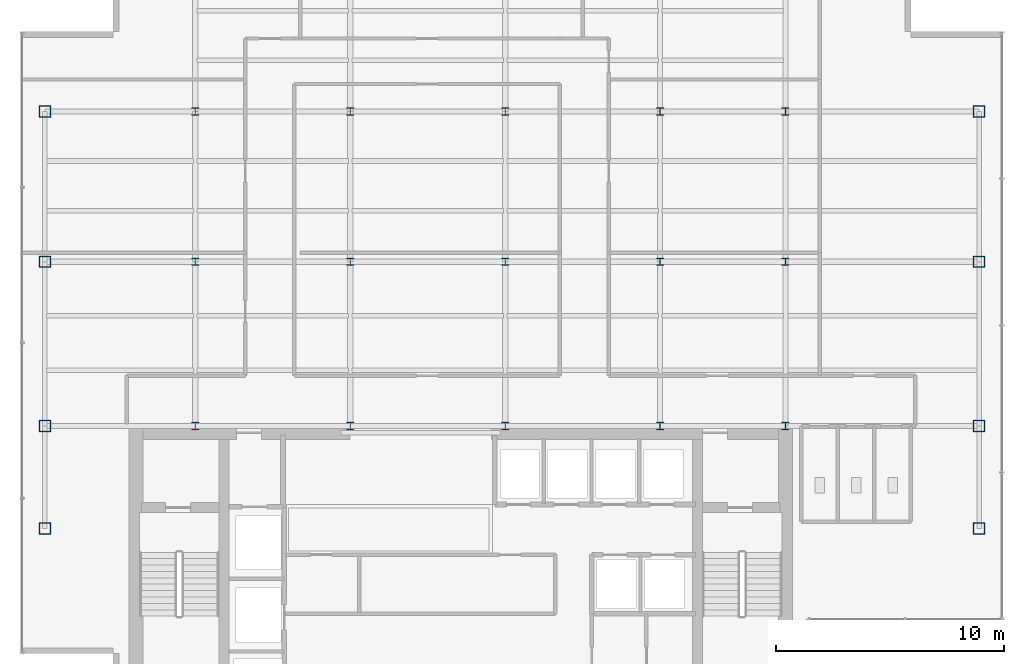
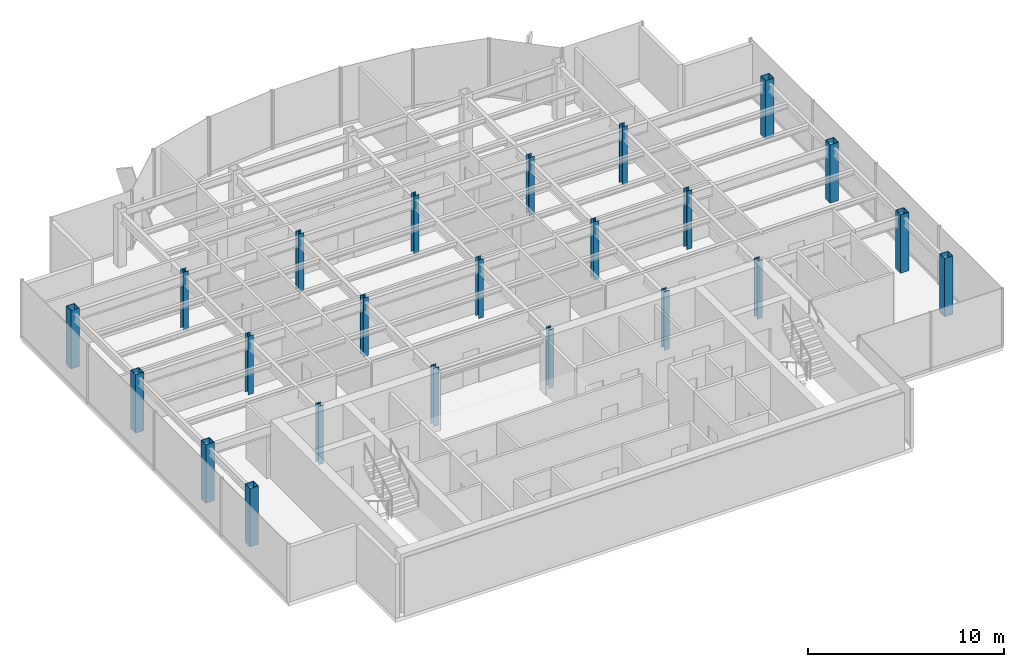
# One storey, part 1 of 22: 23 columns.
"""IFC4 building model written with IfcOpenShell, lengths in metres."""

from ifc_helpers import new_model, si_unit, derived_unit, direction, frame, origin, origin_2d, place, context, subcontext, project, spatial, hollow_rectangle, i_section, extrude, source, transform, mapped, material, material_profile, profile_set, type_object, element, save


model = new_model("IFC4")

# Units and contexts
model_context = context("Model", 3, precision=1e-05, world=origin(), true_north=direction((0.0, 1.0)))
body_context = subcontext(model_context, "Body", "Model", "MODEL_VIEW")
ifc_project = project(units=[si_unit("LENGTHUNIT", "METRE"), si_unit("AREAUNIT", "SQUARE_METRE"), si_unit("VOLUMEUNIT", "CUBIC_METRE"), si_unit("PLANEANGLEUNIT", "RADIAN"), si_unit("MASSUNIT", "GRAM", prefix="KILO"), derived_unit("THERMALTRANSMITTANCEUNIT", [(si_unit("POWERUNIT", "WATT"), 1), (si_unit("LENGTHUNIT", "METRE"), -2), (si_unit("THERMODYNAMICTEMPERATUREUNIT", "KELVIN"), -1)])], contexts=[model_context])

# Site, building, storey
site_placement = place(None, origin())
site = spatial("IfcSite", under=ifc_project, at=site_placement, CompositionType="ELEMENT")
building_placement = place(site_placement, origin())
building = spatial("IfcBuilding", under=site, at=building_placement, Name="Skarnbrae Concourse Arena and Tower", CompositionType="ELEMENT")
storey_placement = place(building_placement, frame((0.0, 0.0, 255.14990234375)))
storey = spatial("IfcBuildingStorey", under=building, at=storey_placement, Name="L66", CompositionType="ELEMENT", Elevation=255.14990234375)

# Columns
ifc_material = material(Name="Steel CSA G40.21 350W", Category="steel")
ifc_material_profile_1 = material_profile(ifc_material, hollow_rectangle(XDim=0.5, YDim=0.5, WallThickness=0.02197265625, at=origin_2d()), Name="HSS500X500X22.0")
ifc_profile_set_1 = profile_set([ifc_material_profile_1], Name="Steel CSA G40.21 350W")
column_type_1 = type_object("IfcColumnType", Name="COL-TUBE-HSS500", PredefinedType="COLUMN", material=ifc_profile_set_1)
shared_shape_1 = source(origin(), body_context, "Body", "SweptSolid", [
    extrude(hollow_rectangle(XDim=0.5, YDim=0.5, WallThickness=0.02197265625, at=origin_2d()), origin(), (0.0, 0.0, 1.0), 3.650146484375),
])
for number, where, z_axis, x_axis, name in (
    (1, (1.0, 9.5, 0.0), (0.0, 0.0, 1.0), (1.0, 0.0, 0.0), "L66 Tower column PC_01_01"),
    (2, (1.0, 14.0, 0.0), (0.0, 0.0, 1.0), (1.0, 0.0, 0.0), "L66 Tower column PC_01_02"),
    (3, (1.0, 21.199951171875, 0.0), (0.0, 0.0, 1.0), (1.0, 0.0, 0.0), "L66 Tower column PC_01_03"),
    (4, (1.0, 27.800048828125, 0.0), (0.0, 0.0, 1.0), (1.0, 0.0, 0.0), "L66 Tower column PC_01_04"),
    (5, (42.0, 9.5, 0.0), (0.0, 0.0, 1.0), (1.0, 0.0, 0.0), "L66 Tower column PC_07_01"),
    (6, (42.0, 14.0, 0.0), (0.0, 0.0, 1.0), (1.0, 0.0, 0.0), "L66 Tower column PC_07_02"),
    (7, (42.0, 21.199951171875, 0.0), (0.0, 0.0, 1.0), (1.0, 0.0, 0.0), "L66 Tower column PC_07_03"),
    (8, (42.0, 27.800048828125, 0.0), (0.0, 0.0, 1.0), (1.0, 0.0, 0.0), "L66 Tower column PC_07_04"),
):
    element("IfcColumn", number, at=place(storey_placement, frame(where, z_axis=z_axis, x_axis=x_axis)), inside=storey, type_object=column_type_1, Name=name, PredefinedType="COLUMN", context=body_context, shape_type="MappedRepresentation", body=[
        mapped(shared_shape_1, transform((0.0, 0.0, 0.0))),
    ])
ifc_material_profile_2 = material_profile(ifc_material, i_section(OverallWidth=0.30908203125, OverallDepth=0.322998046875, WebThickness=0.013916015625, FlangeThickness=0.02294921875, at=origin_2d()), Name="W310X143")
ifc_profile_set_2 = profile_set([ifc_material_profile_2], Name="Steel CSA G40.21 350W")
column_type_2 = type_object("IfcColumnType", Name="COL-INT-W310X143", PredefinedType="COLUMN", material=ifc_profile_set_2)
shared_shape_2 = source(origin(), body_context, "Body", "SweptSolid", [
    extrude(i_section(OverallWidth=0.30908203125, OverallDepth=0.322998046875, WebThickness=0.013916015625, FlangeThickness=0.02294921875, at=origin_2d()), origin(), (0.0, 0.0, 1.0), 3.650146484375),
])
for number, where, z_axis, x_axis, name in (
    (9, (7.60009765625, 14.0, 0.0), (0.0, 0.0, 1.0), (1.0, 0.0, 0.0), "L66 Tower column IC_02_02"),
    (10, (7.60009765625, 21.199951171875, 0.0), (0.0, 0.0, 1.0), (1.0, 0.0, 0.0), "L66 Tower column IC_02_03"),
    (11, (7.60009765625, 27.800048828125, 0.0), (0.0, 0.0, 1.0), (1.0, 0.0, 0.0), "L66 Tower column IC_02_04"),
    (12, (14.39990234375, 14.0, 0.0), (0.0, 0.0, 1.0), (1.0, 0.0, 0.0), "L66 Tower column IC_03_02"),
    (13, (14.39990234375, 21.199951171875, 0.0), (0.0, 0.0, 1.0), (1.0, 0.0, 0.0), "L66 Tower column IC_03_03"),
    (14, (14.39990234375, 27.800048828125, 0.0), (0.0, 0.0, 1.0), (1.0, 0.0, 0.0), "L66 Tower column IC_03_04"),
    (15, (21.199951171875, 14.0, 0.0), (0.0, 0.0, 1.0), (1.0, 0.0, 0.0), "L66 Tower column IC_04_02"),
    (16, (21.199951171875, 21.199951171875, 0.0), (0.0, 0.0, 1.0), (1.0, 0.0, 0.0), "L66 Tower column IC_04_03"),
    (17, (21.199951171875, 27.800048828125, 0.0), (0.0, 0.0, 1.0), (1.0, 0.0, 0.0), "L66 Tower column IC_04_04"),
    (18, (28.0, 14.0, 0.0), (0.0, 0.0, 1.0), (1.0, 0.0, 0.0), "L66 Tower column IC_05_02"),
    (19, (28.0, 21.199951171875, 0.0), (0.0, 0.0, 1.0), (1.0, 0.0, 0.0), "L66 Tower column IC_05_03"),
    (20, (28.0, 27.800048828125, 0.0), (0.0, 0.0, 1.0), (1.0, 0.0, 0.0), "L66 Tower column IC_05_04"),
    (21, (33.5, 14.0, 0.0), (0.0, 0.0, 1.0), (1.0, 0.0, 0.0), "L66 Tower column IC_06_02"),
    (22, (33.5, 21.199951171875, 0.0), (0.0, 0.0, 1.0), (1.0, 0.0, 0.0), "L66 Tower column IC_06_03"),
    (23, (33.5, 27.800048828125, 0.0), (0.0, 0.0, 1.0), (1.0, 0.0, 0.0), "L66 Tower column IC_06_04"),
):
    element("IfcColumn", number, at=place(storey_placement, frame(where, z_axis=z_axis, x_axis=x_axis)), inside=storey, type_object=column_type_2, Name=name, PredefinedType="COLUMN", context=body_context, shape_type="MappedRepresentation", body=[
        mapped(shared_shape_2, transform((0.0, 0.0, 0.0))),
    ])

save(model, "model.ifc")
